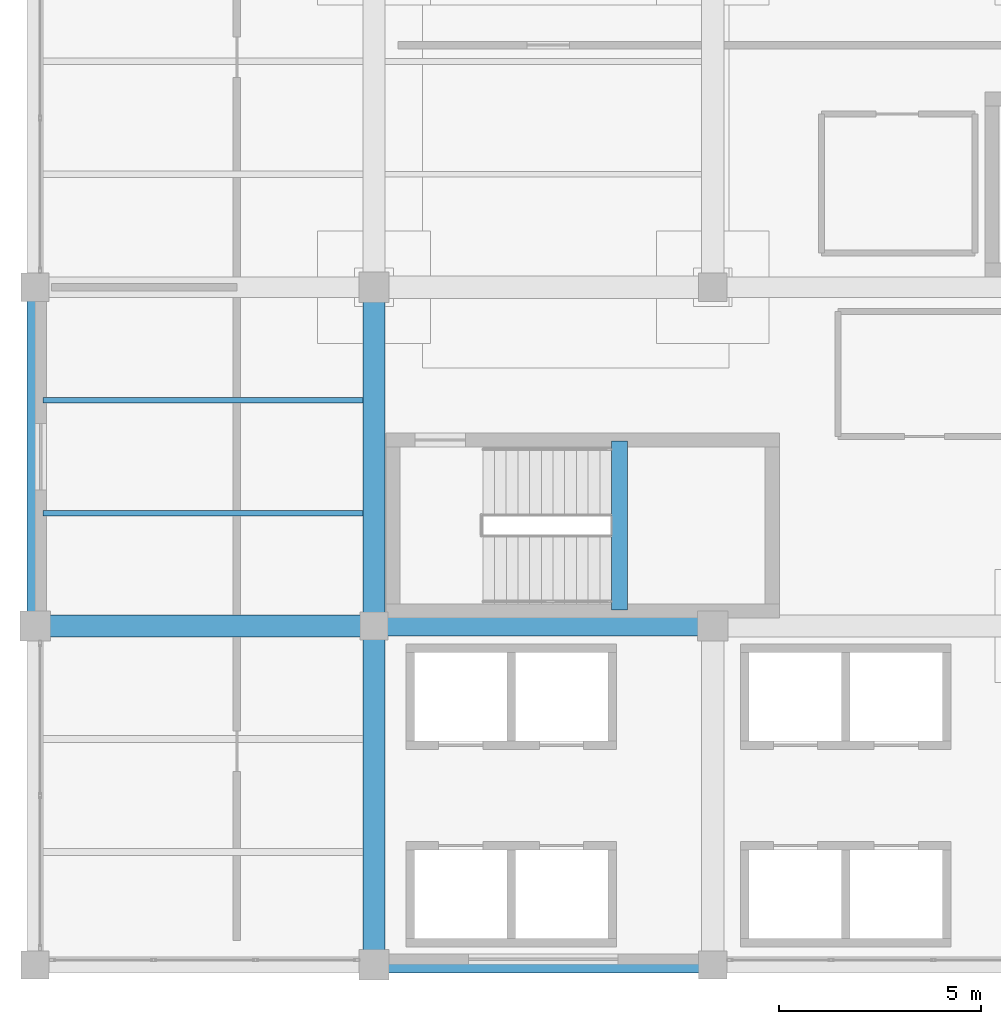
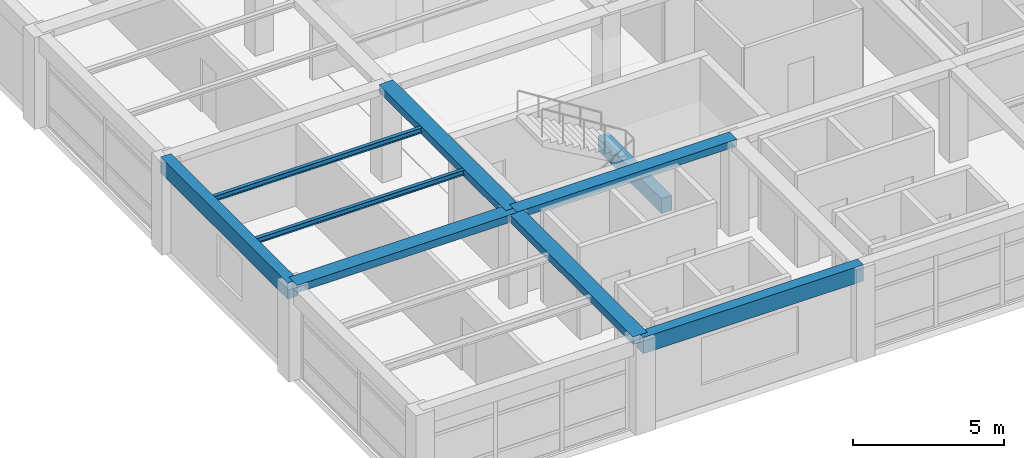
# One storey, part 3 of 26: 9 beams.
"""IFC4 building model written with IfcOpenShell, lengths in metres."""

from ifc_helpers import new_model, si_unit, direction, frame, origin, origin_2d, place, context, subcontext, project, spatial, rectangle, i_section, extrude, material, material_profile, profile_set, type_object, element, save


model = new_model("IFC4")

# Units and contexts
model_context = context("Model", 3, precision=1e-05, world=origin(), true_north=direction((0.0, 1.0)))
body_context = subcontext(model_context, "Body", "Model", "MODEL_VIEW")
ifc_project = project(units=[si_unit("LENGTHUNIT", "METRE"), si_unit("AREAUNIT", "SQUARE_METRE"), si_unit("VOLUMEUNIT", "CUBIC_METRE"), si_unit("PLANEANGLEUNIT", "RADIAN"), si_unit("MASSUNIT", "GRAM", prefix="KILO")], contexts=[model_context])

# Site, building, storey
site_placement = place(None, origin())
site = spatial("IfcSite", under=ifc_project, at=site_placement, CompositionType="ELEMENT")
building_placement = place(site_placement, origin())
building = spatial("IfcBuilding", under=site, at=building_placement, Name="Almacenes y Pasaje Nevantli", CompositionType="ELEMENT")
storey_placement = place(building_placement, frame((0.0, 0.0, 30.699951171875)))
storey = spatial("IfcBuildingStorey", under=building, at=storey_placement, Name="L07", CompositionType="ELEMENT", Elevation=30.699951171875)

# Beams
ifc_material_1 = material(Name="Concrete C35/45", Category="concrete")
ifc_material_profile_1 = material_profile(ifc_material_1, rectangle(XDim=0.39990234375, YDim=0.60009765625, at=origin_2d()), Name="RC-BM-400x600")
ifc_profile_set_1 = profile_set([ifc_material_profile_1], Name="Concrete C35/45")
beam_type_1 = type_object("IfcBeamType", Name="BM-RC-400x600", PredefinedType="SPANDREL", material=ifc_profile_set_1)
beam_1_placement = place(storey_placement, frame((123.68994140625, 76.0, 1.5), z_axis=(0.0, 1.0, 0.0), x_axis=(-1.0, 0.0, 0.0)))
element("IfcBeam", 1, at=beam_1_placement, inside=storey, type_object=beam_type_1, Name="L07 Stair ST-01 Half-Landing Support Beam", PredefinedType="SPANDREL", context=body_context, shape_type="SweptSolid", body=[
    extrude(rectangle(XDim=0.39990234375, YDim=0.60009765625, at=origin_2d()), origin(), (0.0, 0.0, 1.0), 4.18994140625),
])
ifc_material_2 = material(Name="Concrete C35/45", Category="concrete")
ifc_material_profile_2 = material_profile(ifc_material_2, rectangle(XDim=0.39990234375, YDim=0.64990234375, at=origin_2d()), Name="RC-BM-400x650")
ifc_profile_set_2 = profile_set([ifc_material_profile_2], Name="Concrete C35/45")
beam_type_2 = type_object("IfcBeamType", Name="BM-RC-400x650", PredefinedType="SPANDREL", material=ifc_profile_set_2)
for number, where, z_axis, x_axis, name in (
    (2, (117.60009765625, 67.199951171875, 3.39501953125), (1.0, 0.0, 0.0), (0.0, 1.0, 0.0), "L07 East-West Reinforced Concrete Beam #3630"),
    (3, (109.199951171875, 75.60009765625, 3.39501953125), (0.0, 1.0, 0.0), (-1.0, 0.0, 0.0), "L07 North-South Reinforced Concrete Beam #3660"),
):
    element("IfcBeam", number, at=place(storey_placement, frame(where, z_axis=z_axis, x_axis=x_axis)), inside=storey, type_object=beam_type_2, Name=name, PredefinedType="SPANDREL", context=body_context, shape_type="SweptSolid", body=[
        extrude(rectangle(XDim=0.39990234375, YDim=0.64990234375, at=origin_2d()), origin(), (0.0, 0.0, 1.0), 8.39990234375),
    ])
ifc_material_3 = material(Name="Concrete C35/45", Category="concrete")
ifc_material_profile_3 = material_profile(ifc_material_3, rectangle(XDim=0.5, YDim=0.280029296875, at=origin_2d()), Name="RC-BM-500x280")
ifc_profile_set_3 = profile_set([ifc_material_profile_3], Name="Concrete C35/45")
beam_type_3 = type_object("IfcBeamType", Name="BM-RC-500x280", PredefinedType="BEAM", material=ifc_profile_set_3)
beam_2_placement = place(storey_placement, frame((117.60009765625, 75.60009765625, 3.580078125), z_axis=(1.0, 0.0, 0.0), x_axis=(0.0, 1.0, 0.0)))
element("IfcBeam", 4, at=beam_2_placement, inside=storey, type_object=beam_type_3, Name="L07 East-West Reinforced Concrete Beam #3636", PredefinedType="BEAM", context=body_context, shape_type="SweptSolid", body=[
    extrude(rectangle(XDim=0.5, YDim=0.280029296875, at=origin_2d()), origin(), (0.0, 0.0, 1.0), 8.39990234375),
])
ifc_material_4 = material(Name="Concrete C35/45", Category="concrete")
ifc_material_profile_4 = material_profile(ifc_material_4, rectangle(XDim=0.550048828125, YDim=0.300048828125, at=origin_2d()), Name="RC-BM-550x300")
ifc_profile_set_4 = profile_set([ifc_material_profile_4], Name="Concrete C35/45")
beam_type_4 = type_object("IfcBeamType", Name="BM-RC-550x300", PredefinedType="BEAM", material=ifc_profile_set_4)
for number, where, z_axis, x_axis, name in (
    (5, (109.199951171875, 75.60009765625, 3.570068359375), (1.0, 0.0, 0.0), (0.0, 1.0, 0.0), "L07 East-West Reinforced Concrete Beam #3635"),
    (6, (117.60009765625, 67.199951171875, 3.570068359375), (0.0, 1.0, 0.0), (-1.0, 0.0, 0.0), "L07 North-South Reinforced Concrete Beam #3663"),
):
    element("IfcBeam", number, at=place(storey_placement, frame(where, z_axis=z_axis, x_axis=x_axis)), inside=storey, type_object=beam_type_4, Name=name, PredefinedType="BEAM", context=body_context, shape_type="SweptSolid", body=[
        extrude(rectangle(XDim=0.550048828125, YDim=0.300048828125, at=origin_2d()), origin(), (0.0, 0.0, 1.0), 8.400146484375),
    ])
beam_3_placement = place(storey_placement, frame((117.60009765625, 75.60009765625, 3.570068359375), z_axis=(0.0, 1.0, 0.0), x_axis=(-1.0, 0.0, 0.0)))
element("IfcBeam", 7, at=beam_3_placement, inside=storey, type_object=beam_type_4, Name="L07 North-South Reinforced Concrete Beam #3664", PredefinedType="BEAM", context=body_context, shape_type="SweptSolid", body=[
    extrude(rectangle(XDim=0.550048828125, YDim=0.300048828125, at=origin_2d()), origin(), (0.0, 0.0, 1.0), 8.39990234375),
])
ifc_material_5 = material(Name="Steel ASTM A992", Category="steel")
ifc_material_profile_5 = material_profile(ifc_material_5, i_section(OverallWidth=0.134033203125, OverallDepth=0.2099609375, WebThickness=0.00634765625, FlangeThickness=0.01025390625, at=origin_2d()), Name="IR 203x31.3")
ifc_profile_set_5 = profile_set([ifc_material_profile_5], Name="Steel ASTM A992")
beam_type_5 = type_object("IfcBeamType", Name="BM-STL-IR-203x31p3", PredefinedType="JOIST", material=ifc_profile_set_5)
for number, where, z_axis, x_axis, name in (
    (8, (109.39990234375, 78.39990234375, 3.60693359375), (1.0, 0.0, 0.0), (0.0, 1.0, 0.0), "L07 Secondary Steel Floor Joist #1389"),
    (9, (109.39990234375, 81.199951171875, 3.60693359375), (1.0, 0.0, 0.0), (0.0, 1.0, 0.0), "L07 Secondary Steel Floor Joist #1390"),
):
    element("IfcBeam", number, at=place(storey_placement, frame(where, z_axis=z_axis, x_axis=x_axis)), inside=storey, type_object=beam_type_5, Name=name, PredefinedType="JOIST", context=body_context, shape_type="SweptSolid", body=[
        extrude(i_section(OverallWidth=0.134033203125, OverallDepth=0.2099609375, WebThickness=0.00634765625, FlangeThickness=0.01025390625, at=origin_2d()), origin(), (0.0, 0.0, 1.0), 7.925048828125),
    ])

save(model, "model.ifc")
